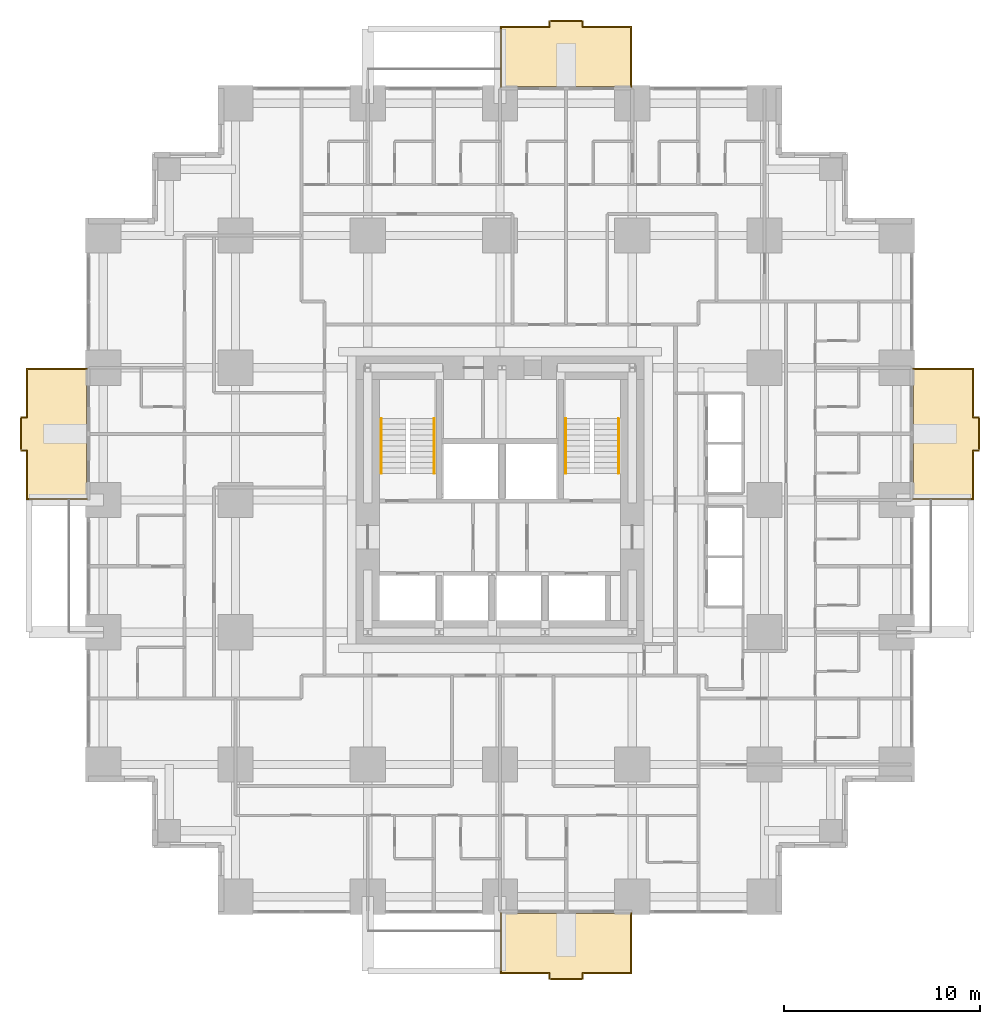
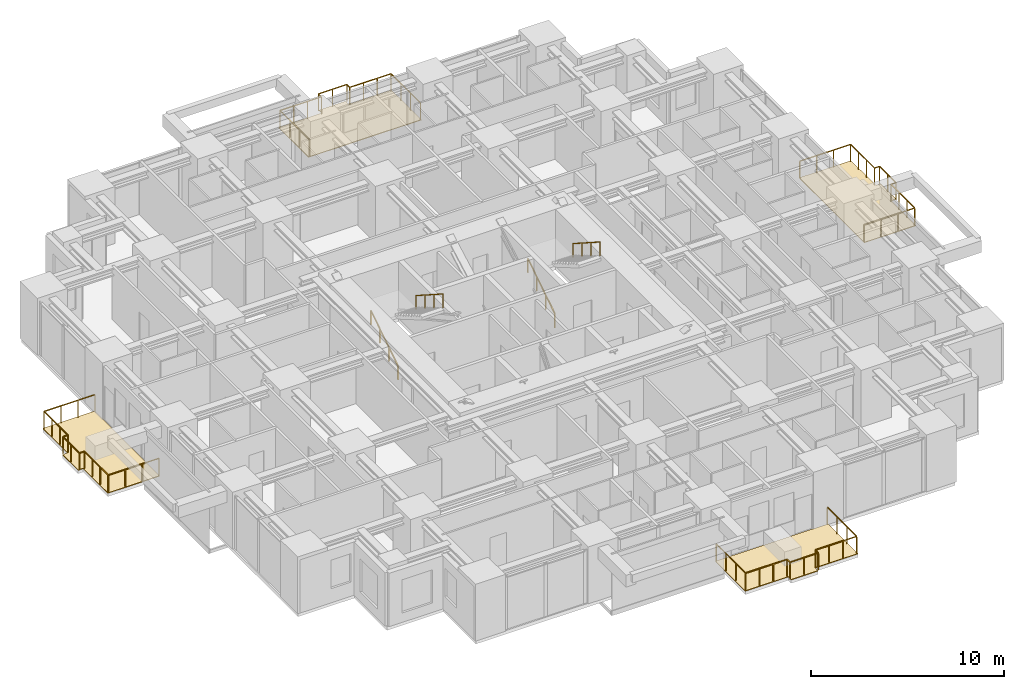
# One storey, part 14 of 14: 8 railings, 4 coverings.
"""IFC4 building model written with IfcOpenShell, lengths in metres."""

from ifc_helpers import new_model, si_unit, direction, frame, origin, origin_2d, place, context, subcontext, project, spatial, polyline, rectangle, outline, extrude, material, layer, layer_set, type_object, element, save


model = new_model("IFC4")

# Units and contexts
model_context = context("Model", 3, precision=1e-05, world=origin(), true_north=direction((0.0, 1.0)))
body_context = subcontext(model_context, "Body", "Model", "MODEL_VIEW")
ifc_project = project(units=[si_unit("LENGTHUNIT", "METRE"), si_unit("AREAUNIT", "SQUARE_METRE"), si_unit("VOLUMEUNIT", "CUBIC_METRE"), si_unit("PLANEANGLEUNIT", "RADIAN"), si_unit("MASSUNIT", "GRAM", prefix="KILO")], contexts=[model_context])

# Site, building, storey
site_placement = place(None, origin())
site = spatial("IfcSite", under=ifc_project, at=site_placement, CompositionType="ELEMENT")
building_placement = place(site_placement, origin())
building = spatial("IfcBuilding", under=site, at=building_placement, Name="Nyansa Garden Tower", CompositionType="ELEMENT")
storey_placement = place(building_placement, frame((0.0, 0.0, 57.60009765625)))
storey = spatial("IfcBuildingStorey", under=building, at=storey_placement, Name="L15", CompositionType="ELEMENT", Elevation=57.60009765625)

# Coverings
ifc_material_1 = material(Name="Hardwood decking on pedestals", Category="wood")
ifc_layer = layer(ifc_material_1, 0.0400390625)
ifc_layer_set = layer_set([ifc_layer], Name="Balcony decking DK40")
covering_type = type_object("IfcCoveringType", Name="Balcony decking DK40", PredefinedType="FLOORING", material=ifc_layer_set)
covering_1_placement = place(storey_placement, frame((0.0, 0.0, -0.0400390625)))
element("IfcCovering", 1, at=covering_1_placement, inside=storey, type_object=covering_type, Name="Balcony decking L15", PredefinedType="FLOORING", context=body_context, shape_type="SweptSolid", body=[
    extrude(outline(polyline([(20.25, -0.85009765625), (27.0, -0.85009765625), (27.0, -3.949951171875), (24.425048828125, -3.949951171875), (24.425048828125, -4.25), (22.824951171875, -4.25), (22.824951171875, -3.949951171875), (20.25, -3.949951171875), (20.25, -0.85009765625)])), origin(), (0.0, 0.0, 1.0), 0.0400390625),
])
covering_2_placement = place(storey_placement, frame((0.0, 0.0, -0.0400390625)))
element("IfcCovering", 2, at=covering_2_placement, inside=storey, type_object=covering_type, Name="Balcony decking L15", PredefinedType="FLOORING", context=body_context, shape_type="SweptSolid", body=[
    extrude(outline(polyline([(41.35009765625, 20.25), (41.35009765625, 27.0), (44.449951171875, 27.0), (44.449951171875, 24.425048828125), (44.75, 24.425048828125), (44.75, 22.824951171875), (44.449951171875, 22.824951171875), (44.449951171875, 20.25), (41.35009765625, 20.25)])), origin(), (0.0, 0.0, 1.0), 0.0400390625),
])
covering_3_placement = place(storey_placement, frame((0.0, 0.0, -0.0400390625)))
element("IfcCovering", 3, at=covering_3_placement, inside=storey, type_object=covering_type, Name="Balcony decking L15", PredefinedType="FLOORING", context=body_context, shape_type="SweptSolid", body=[
    extrude(outline(polyline([(20.25, 41.35009765625), (27.0, 41.35009765625), (27.0, 44.449951171875), (24.425048828125, 44.449951171875), (24.425048828125, 44.75), (22.824951171875, 44.75), (22.824951171875, 44.449951171875), (20.25, 44.449951171875), (20.25, 41.35009765625)])), origin(), (0.0, 0.0, 1.0), 0.0400390625),
])
covering_4_placement = place(storey_placement, frame((0.0, 0.0, -0.0400390625)))
element("IfcCovering", 4, at=covering_4_placement, inside=storey, type_object=covering_type, Name="Balcony decking L15", PredefinedType="FLOORING", context=body_context, shape_type="SweptSolid", body=[
    extrude(outline(polyline([(-0.85009765625, 20.25), (-0.85009765625, 27.0), (-3.949951171875, 27.0), (-3.949951171875, 24.425048828125), (-4.25, 24.425048828125), (-4.25, 22.824951171875), (-3.949951171875, 22.824951171875), (-3.949951171875, 20.25), (-0.85009765625, 20.25)])), origin(), (0.0, 0.0, 1.0), 0.0400390625),
])

# Railings
ifc_material_2 = material(Name="Black powder-coated steel balusters, laminated glass infill", Category="steel")
railing_type_1 = type_object("IfcRailingType", Name="Balcony guard G1", PredefinedType="GUARDRAIL", material=ifc_material_2)
railing_1_placement = place(storey_placement, frame((20.300048828125, -0.85009765625, 0.0)))
element("IfcRailing", 5, at=railing_1_placement, inside=storey, type_object=railing_type_1, Name="Balcony guard L15", PredefinedType="GUARDRAIL", context=body_context, shape_type="SweptSolid", body=[
    extrude(rectangle(XDim=0.048095703125, YDim=0.048095703125, at=origin_2d()), frame((0.0, 0.0, 1.076171875), z_axis=(0.0, -1.0, 0.0), x_axis=(1.0, 0.0, 0.0)), (0.0, 0.0, 1.0), 3.0498046875),
    extrude(rectangle(XDim=0.048095703125, YDim=0.048095703125, at=origin_2d()), frame((0.0, -3.0498046875, 1.076171875), z_axis=(1.0, 0.0, 0.0), x_axis=(0.0, 1.0, 0.0)), (0.0, 0.0, 1.0), 2.474853515625),
    extrude(rectangle(XDim=0.048095703125, YDim=0.048095703125, at=origin_2d()), frame((2.474853515625, -3.0498046875, 1.076171875), z_axis=(0.0, -1.0, 0.0), x_axis=(1.0, 0.0, 0.0)), (0.0, 0.0, 1.0), 0.300048828125),
    extrude(rectangle(XDim=0.048095703125, YDim=0.048095703125, at=origin_2d()), frame((2.474853515625, -3.349853515625, 1.076171875), z_axis=(1.0, 0.0, 0.0), x_axis=(0.0, 1.0, 0.0)), (0.0, 0.0, 1.0), 1.7001953125),
    extrude(rectangle(XDim=0.048095703125, YDim=0.048095703125, at=origin_2d()), frame((4.175048828125, -3.349853515625, 1.076171875), z_axis=(0.0, 1.0, 0.0), x_axis=(-1.0, 0.0, 0.0)), (0.0, 0.0, 1.0), 0.300048828125),
    extrude(rectangle(XDim=0.048095703125, YDim=0.048095703125, at=origin_2d()), frame((4.175048828125, -3.0498046875, 1.076171875), z_axis=(1.0, 0.0, 0.0), x_axis=(0.0, 1.0, 0.0)), (0.0, 0.0, 1.0), 2.474853515625),
    extrude(rectangle(XDim=0.048095703125, YDim=0.048095703125, at=origin_2d()), frame((6.64990234375, -3.0498046875, 1.076171875), z_axis=(0.0, 1.0, 0.0), x_axis=(-1.0, 0.0, 0.0)), (0.0, 0.0, 1.0), 3.0498046875),
    extrude(rectangle(XDim=0.0419921875, YDim=0.0419921875, at=origin_2d()), origin(), (0.0, 0.0, 1.0), 1.052001953125),
    extrude(rectangle(XDim=0.0419921875, YDim=0.0419921875, at=origin_2d()), frame((0.0, -1.0166015625, 0.0)), (0.0, 0.0, 1.0), 1.052001953125),
    extrude(rectangle(XDim=0.0419921875, YDim=0.0419921875, at=origin_2d()), frame((0.0, -2.033203125, 0.0)), (0.0, 0.0, 1.0), 1.052001953125),
    extrude(rectangle(XDim=0.0419921875, YDim=0.0419921875, at=origin_2d()), frame((0.0, -3.0498046875, 0.0)), (0.0, 0.0, 1.0), 1.052001953125),
    extrude(rectangle(XDim=0.0419921875, YDim=0.0419921875, at=origin_2d()), frame((0.824951171875, -3.0498046875, 0.0)), (0.0, 0.0, 1.0), 1.052001953125),
    extrude(rectangle(XDim=0.0419921875, YDim=0.0419921875, at=origin_2d()), frame((1.64990234375, -3.0498046875, 0.0)), (0.0, 0.0, 1.0), 1.052001953125),
    extrude(rectangle(XDim=0.0419921875, YDim=0.0419921875, at=origin_2d()), frame((2.474853515625, -3.0498046875, 0.0)), (0.0, 0.0, 1.0), 1.052001953125),
    extrude(rectangle(XDim=0.0419921875, YDim=0.0419921875, at=origin_2d()), frame((2.474853515625, -3.349853515625, 0.0)), (0.0, 0.0, 1.0), 1.052001953125),
    extrude(rectangle(XDim=0.0419921875, YDim=0.0419921875, at=origin_2d()), frame((3.324951171875, -3.349853515625, 0.0)), (0.0, 0.0, 1.0), 1.052001953125),
    extrude(rectangle(XDim=0.0419921875, YDim=0.0419921875, at=origin_2d()), frame((4.175048828125, -3.349853515625, 0.0)), (0.0, 0.0, 1.0), 1.052001953125),
    extrude(rectangle(XDim=0.0419921875, YDim=0.0419921875, at=origin_2d()), frame((4.175048828125, -3.0498046875, 0.0)), (0.0, 0.0, 1.0), 1.052001953125),
    extrude(rectangle(XDim=0.0419921875, YDim=0.0419921875, at=origin_2d()), frame((5.0, -3.0498046875, 0.0)), (0.0, 0.0, 1.0), 1.052001953125),
    extrude(rectangle(XDim=0.0419921875, YDim=0.0419921875, at=origin_2d()), frame((5.824951171875, -3.0498046875, 0.0)), (0.0, 0.0, 1.0), 1.052001953125),
    extrude(rectangle(XDim=0.0419921875, YDim=0.0419921875, at=origin_2d()), frame((6.64990234375, -3.0498046875, 0.0)), (0.0, 0.0, 1.0), 1.052001953125),
    extrude(rectangle(XDim=0.0419921875, YDim=0.0419921875, at=origin_2d()), frame((6.64990234375, -2.033203125, 0.0)), (0.0, 0.0, 1.0), 1.052001953125),
    extrude(rectangle(XDim=0.0419921875, YDim=0.0419921875, at=origin_2d()), frame((6.64990234375, -1.0166015625, 0.0)), (0.0, 0.0, 1.0), 1.052001953125),
    extrude(rectangle(XDim=0.0419921875, YDim=0.0419921875, at=origin_2d()), frame((6.64990234375, 0.0, 0.0)), (0.0, 0.0, 1.0), 1.052001953125),
])
railing_2_placement = place(storey_placement, frame((41.35009765625, 20.300048828125, 0.0)))
element("IfcRailing", 6, at=railing_2_placement, inside=storey, type_object=railing_type_1, Name="Balcony guard L15", PredefinedType="GUARDRAIL", context=body_context, shape_type="SweptSolid", body=[
    extrude(rectangle(XDim=0.048095703125, YDim=0.048095703125, at=origin_2d()), frame((0.0, 0.0, 1.076171875), z_axis=(1.0, 0.0, 0.0), x_axis=(0.0, 1.0, 0.0)), (0.0, 0.0, 1.0), 3.0498046875),
    extrude(rectangle(XDim=0.048095703125, YDim=0.048095703125, at=origin_2d()), frame((3.0498046875, 0.0, 1.076171875), z_axis=(0.0, 1.0, 0.0), x_axis=(-1.0, 0.0, 0.0)), (0.0, 0.0, 1.0), 2.474853515625),
    extrude(rectangle(XDim=0.048095703125, YDim=0.048095703125, at=origin_2d()), frame((3.0498046875, 2.474853515625, 1.076171875), z_axis=(1.0, 0.0, 0.0), x_axis=(0.0, 1.0, 0.0)), (0.0, 0.0, 1.0), 0.300048828125),
    extrude(rectangle(XDim=0.048095703125, YDim=0.048095703125, at=origin_2d()), frame((3.349853515625, 2.474853515625, 1.076171875), z_axis=(0.0, 1.0, 0.0), x_axis=(-1.0, 0.0, 0.0)), (0.0, 0.0, 1.0), 1.7001953125),
    extrude(rectangle(XDim=0.048095703125, YDim=0.048095703125, at=origin_2d()), frame((3.349853515625, 4.175048828125, 1.076171875), z_axis=(-1.0, 0.0, 0.0), x_axis=(0.0, -1.0, 0.0)), (0.0, 0.0, 1.0), 0.300048828125),
    extrude(rectangle(XDim=0.048095703125, YDim=0.048095703125, at=origin_2d()), frame((3.0498046875, 4.175048828125, 1.076171875), z_axis=(0.0, 1.0, 0.0), x_axis=(-1.0, 0.0, 0.0)), (0.0, 0.0, 1.0), 2.474853515625),
    extrude(rectangle(XDim=0.048095703125, YDim=0.048095703125, at=origin_2d()), frame((3.0498046875, 6.64990234375, 1.076171875), z_axis=(-1.0, 0.0, 0.0), x_axis=(0.0, -1.0, 0.0)), (0.0, 0.0, 1.0), 3.0498046875),
    extrude(rectangle(XDim=0.0419921875, YDim=0.0419921875, at=origin_2d()), origin(), (0.0, 0.0, 1.0), 1.052001953125),
    extrude(rectangle(XDim=0.0419921875, YDim=0.0419921875, at=origin_2d()), frame((1.0166015625, 0.0, 0.0)), (0.0, 0.0, 1.0), 1.052001953125),
    extrude(rectangle(XDim=0.0419921875, YDim=0.0419921875, at=origin_2d()), frame((2.033203125, 0.0, 0.0)), (0.0, 0.0, 1.0), 1.052001953125),
    extrude(rectangle(XDim=0.0419921875, YDim=0.0419921875, at=origin_2d()), frame((3.0498046875, 0.0, 0.0)), (0.0, 0.0, 1.0), 1.052001953125),
    extrude(rectangle(XDim=0.0419921875, YDim=0.0419921875, at=origin_2d()), frame((3.0498046875, 0.824951171875, 0.0)), (0.0, 0.0, 1.0), 1.052001953125),
    extrude(rectangle(XDim=0.0419921875, YDim=0.0419921875, at=origin_2d()), frame((3.0498046875, 1.64990234375, 0.0)), (0.0, 0.0, 1.0), 1.052001953125),
    extrude(rectangle(XDim=0.0419921875, YDim=0.0419921875, at=origin_2d()), frame((3.0498046875, 2.474853515625, 0.0)), (0.0, 0.0, 1.0), 1.052001953125),
    extrude(rectangle(XDim=0.0419921875, YDim=0.0419921875, at=origin_2d()), frame((3.349853515625, 2.474853515625, 0.0)), (0.0, 0.0, 1.0), 1.052001953125),
    extrude(rectangle(XDim=0.0419921875, YDim=0.0419921875, at=origin_2d()), frame((3.349853515625, 3.324951171875, 0.0)), (0.0, 0.0, 1.0), 1.052001953125),
    extrude(rectangle(XDim=0.0419921875, YDim=0.0419921875, at=origin_2d()), frame((3.349853515625, 4.175048828125, 0.0)), (0.0, 0.0, 1.0), 1.052001953125),
    extrude(rectangle(XDim=0.0419921875, YDim=0.0419921875, at=origin_2d()), frame((3.0498046875, 4.175048828125, 0.0)), (0.0, 0.0, 1.0), 1.052001953125),
    extrude(rectangle(XDim=0.0419921875, YDim=0.0419921875, at=origin_2d()), frame((3.0498046875, 5.0, 0.0)), (0.0, 0.0, 1.0), 1.052001953125),
    extrude(rectangle(XDim=0.0419921875, YDim=0.0419921875, at=origin_2d()), frame((3.0498046875, 5.824951171875, 0.0)), (0.0, 0.0, 1.0), 1.052001953125),
    extrude(rectangle(XDim=0.0419921875, YDim=0.0419921875, at=origin_2d()), frame((3.0498046875, 6.64990234375, 0.0)), (0.0, 0.0, 1.0), 1.052001953125),
    extrude(rectangle(XDim=0.0419921875, YDim=0.0419921875, at=origin_2d()), frame((2.033203125, 6.64990234375, 0.0)), (0.0, 0.0, 1.0), 1.052001953125),
    extrude(rectangle(XDim=0.0419921875, YDim=0.0419921875, at=origin_2d()), frame((1.0166015625, 6.64990234375, 0.0)), (0.0, 0.0, 1.0), 1.052001953125),
    extrude(rectangle(XDim=0.0419921875, YDim=0.0419921875, at=origin_2d()), frame((0.0, 6.64990234375, 0.0)), (0.0, 0.0, 1.0), 1.052001953125),
])
railing_3_placement = place(storey_placement, frame((20.300048828125, 41.35009765625, 0.0)))
element("IfcRailing", 7, at=railing_3_placement, inside=storey, type_object=railing_type_1, Name="Balcony guard L15", PredefinedType="GUARDRAIL", context=body_context, shape_type="SweptSolid", body=[
    extrude(rectangle(XDim=0.048095703125, YDim=0.048095703125, at=origin_2d()), frame((0.0, 0.0, 1.076171875), z_axis=(0.0, 1.0, 0.0), x_axis=(-1.0, 0.0, 0.0)), (0.0, 0.0, 1.0), 3.0498046875),
    extrude(rectangle(XDim=0.048095703125, YDim=0.048095703125, at=origin_2d()), frame((0.0, 3.0498046875, 1.076171875), z_axis=(1.0, 0.0, 0.0), x_axis=(0.0, 1.0, 0.0)), (0.0, 0.0, 1.0), 2.474853515625),
    extrude(rectangle(XDim=0.048095703125, YDim=0.048095703125, at=origin_2d()), frame((2.474853515625, 3.0498046875, 1.076171875), z_axis=(0.0, 1.0, 0.0), x_axis=(-1.0, 0.0, 0.0)), (0.0, 0.0, 1.0), 0.300048828125),
    extrude(rectangle(XDim=0.048095703125, YDim=0.048095703125, at=origin_2d()), frame((2.474853515625, 3.349853515625, 1.076171875), z_axis=(1.0, 0.0, 0.0), x_axis=(0.0, 1.0, 0.0)), (0.0, 0.0, 1.0), 1.7001953125),
    extrude(rectangle(XDim=0.048095703125, YDim=0.048095703125, at=origin_2d()), frame((4.175048828125, 3.349853515625, 1.076171875), z_axis=(0.0, -1.0, 0.0), x_axis=(1.0, 0.0, 0.0)), (0.0, 0.0, 1.0), 0.300048828125),
    extrude(rectangle(XDim=0.048095703125, YDim=0.048095703125, at=origin_2d()), frame((4.175048828125, 3.0498046875, 1.076171875), z_axis=(1.0, 0.0, 0.0), x_axis=(0.0, 1.0, 0.0)), (0.0, 0.0, 1.0), 2.474853515625),
    extrude(rectangle(XDim=0.048095703125, YDim=0.048095703125, at=origin_2d()), frame((6.64990234375, 3.0498046875, 1.076171875), z_axis=(0.0, -1.0, 0.0), x_axis=(1.0, 0.0, 0.0)), (0.0, 0.0, 1.0), 3.0498046875),
    extrude(rectangle(XDim=0.0419921875, YDim=0.0419921875, at=origin_2d()), origin(), (0.0, 0.0, 1.0), 1.052001953125),
    extrude(rectangle(XDim=0.0419921875, YDim=0.0419921875, at=origin_2d()), frame((0.0, 1.0166015625, 0.0)), (0.0, 0.0, 1.0), 1.052001953125),
    extrude(rectangle(XDim=0.0419921875, YDim=0.0419921875, at=origin_2d()), frame((0.0, 2.033203125, 0.0)), (0.0, 0.0, 1.0), 1.052001953125),
    extrude(rectangle(XDim=0.0419921875, YDim=0.0419921875, at=origin_2d()), frame((0.0, 3.0498046875, 0.0)), (0.0, 0.0, 1.0), 1.052001953125),
    extrude(rectangle(XDim=0.0419921875, YDim=0.0419921875, at=origin_2d()), frame((0.824951171875, 3.0498046875, 0.0)), (0.0, 0.0, 1.0), 1.052001953125),
    extrude(rectangle(XDim=0.0419921875, YDim=0.0419921875, at=origin_2d()), frame((1.64990234375, 3.0498046875, 0.0)), (0.0, 0.0, 1.0), 1.052001953125),
    extrude(rectangle(XDim=0.0419921875, YDim=0.0419921875, at=origin_2d()), frame((2.474853515625, 3.0498046875, 0.0)), (0.0, 0.0, 1.0), 1.052001953125),
    extrude(rectangle(XDim=0.0419921875, YDim=0.0419921875, at=origin_2d()), frame((2.474853515625, 3.349853515625, 0.0)), (0.0, 0.0, 1.0), 1.052001953125),
    extrude(rectangle(XDim=0.0419921875, YDim=0.0419921875, at=origin_2d()), frame((3.324951171875, 3.349853515625, 0.0)), (0.0, 0.0, 1.0), 1.052001953125),
    extrude(rectangle(XDim=0.0419921875, YDim=0.0419921875, at=origin_2d()), frame((4.175048828125, 3.349853515625, 0.0)), (0.0, 0.0, 1.0), 1.052001953125),
    extrude(rectangle(XDim=0.0419921875, YDim=0.0419921875, at=origin_2d()), frame((4.175048828125, 3.0498046875, 0.0)), (0.0, 0.0, 1.0), 1.052001953125),
    extrude(rectangle(XDim=0.0419921875, YDim=0.0419921875, at=origin_2d()), frame((5.0, 3.0498046875, 0.0)), (0.0, 0.0, 1.0), 1.052001953125),
    extrude(rectangle(XDim=0.0419921875, YDim=0.0419921875, at=origin_2d()), frame((5.824951171875, 3.0498046875, 0.0)), (0.0, 0.0, 1.0), 1.052001953125),
    extrude(rectangle(XDim=0.0419921875, YDim=0.0419921875, at=origin_2d()), frame((6.64990234375, 3.0498046875, 0.0)), (0.0, 0.0, 1.0), 1.052001953125),
    extrude(rectangle(XDim=0.0419921875, YDim=0.0419921875, at=origin_2d()), frame((6.64990234375, 2.033203125, 0.0)), (0.0, 0.0, 1.0), 1.052001953125),
    extrude(rectangle(XDim=0.0419921875, YDim=0.0419921875, at=origin_2d()), frame((6.64990234375, 1.0166015625, 0.0)), (0.0, 0.0, 1.0), 1.052001953125),
    extrude(rectangle(XDim=0.0419921875, YDim=0.0419921875, at=origin_2d()), frame((6.64990234375, 0.0, 0.0)), (0.0, 0.0, 1.0), 1.052001953125),
])
railing_4_placement = place(storey_placement, frame((-0.85009765625, 20.300048828125, 0.0)))
element("IfcRailing", 8, at=railing_4_placement, inside=storey, type_object=railing_type_1, Name="Balcony guard L15", PredefinedType="GUARDRAIL", context=body_context, shape_type="SweptSolid", body=[
    extrude(rectangle(XDim=0.048095703125, YDim=0.048095703125, at=origin_2d()), frame((0.0, 0.0, 1.076171875), z_axis=(-1.0, 0.0, 0.0), x_axis=(0.0, -1.0, 0.0)), (0.0, 0.0, 1.0), 3.0498046875),
    extrude(rectangle(XDim=0.048095703125, YDim=0.048095703125, at=origin_2d()), frame((-3.0498046875, 0.0, 1.076171875), z_axis=(0.0, 1.0, 0.0), x_axis=(-1.0, 0.0, 0.0)), (0.0, 0.0, 1.0), 2.474853515625),
    extrude(rectangle(XDim=0.048095703125, YDim=0.048095703125, at=origin_2d()), frame((-3.0498046875, 2.474853515625, 1.076171875), z_axis=(-1.0, 0.0, 0.0), x_axis=(0.0, -1.0, 0.0)), (0.0, 0.0, 1.0), 0.300048828125),
    extrude(rectangle(XDim=0.048095703125, YDim=0.048095703125, at=origin_2d()), frame((-3.349853515625, 2.474853515625, 1.076171875), z_axis=(0.0, 1.0, 0.0), x_axis=(-1.0, 0.0, 0.0)), (0.0, 0.0, 1.0), 1.7001953125),
    extrude(rectangle(XDim=0.048095703125, YDim=0.048095703125, at=origin_2d()), frame((-3.349853515625, 4.175048828125, 1.076171875), z_axis=(1.0, 0.0, 0.0), x_axis=(0.0, 1.0, 0.0)), (0.0, 0.0, 1.0), 0.300048828125),
    extrude(rectangle(XDim=0.048095703125, YDim=0.048095703125, at=origin_2d()), frame((-3.0498046875, 4.175048828125, 1.076171875), z_axis=(0.0, 1.0, 0.0), x_axis=(-1.0, 0.0, 0.0)), (0.0, 0.0, 1.0), 2.474853515625),
    extrude(rectangle(XDim=0.048095703125, YDim=0.048095703125, at=origin_2d()), frame((-3.0498046875, 6.64990234375, 1.076171875), z_axis=(1.0, 0.0, 0.0), x_axis=(0.0, 1.0, 0.0)), (0.0, 0.0, 1.0), 3.0498046875),
    extrude(rectangle(XDim=0.0419921875, YDim=0.0419921875, at=origin_2d()), origin(), (0.0, 0.0, 1.0), 1.052001953125),
    extrude(rectangle(XDim=0.0419921875, YDim=0.0419921875, at=origin_2d()), frame((-1.0166015625, 0.0, 0.0)), (0.0, 0.0, 1.0), 1.052001953125),
    extrude(rectangle(XDim=0.0419921875, YDim=0.0419921875, at=origin_2d()), frame((-2.033203125, 0.0, 0.0)), (0.0, 0.0, 1.0), 1.052001953125),
    extrude(rectangle(XDim=0.0419921875, YDim=0.0419921875, at=origin_2d()), frame((-3.0498046875, 0.0, 0.0)), (0.0, 0.0, 1.0), 1.052001953125),
    extrude(rectangle(XDim=0.0419921875, YDim=0.0419921875, at=origin_2d()), frame((-3.0498046875, 0.824951171875, 0.0)), (0.0, 0.0, 1.0), 1.052001953125),
    extrude(rectangle(XDim=0.0419921875, YDim=0.0419921875, at=origin_2d()), frame((-3.0498046875, 1.64990234375, 0.0)), (0.0, 0.0, 1.0), 1.052001953125),
    extrude(rectangle(XDim=0.0419921875, YDim=0.0419921875, at=origin_2d()), frame((-3.0498046875, 2.474853515625, 0.0)), (0.0, 0.0, 1.0), 1.052001953125),
    extrude(rectangle(XDim=0.0419921875, YDim=0.0419921875, at=origin_2d()), frame((-3.349853515625, 2.474853515625, 0.0)), (0.0, 0.0, 1.0), 1.052001953125),
    extrude(rectangle(XDim=0.0419921875, YDim=0.0419921875, at=origin_2d()), frame((-3.349853515625, 3.324951171875, 0.0)), (0.0, 0.0, 1.0), 1.052001953125),
    extrude(rectangle(XDim=0.0419921875, YDim=0.0419921875, at=origin_2d()), frame((-3.349853515625, 4.175048828125, 0.0)), (0.0, 0.0, 1.0), 1.052001953125),
    extrude(rectangle(XDim=0.0419921875, YDim=0.0419921875, at=origin_2d()), frame((-3.0498046875, 4.175048828125, 0.0)), (0.0, 0.0, 1.0), 1.052001953125),
    extrude(rectangle(XDim=0.0419921875, YDim=0.0419921875, at=origin_2d()), frame((-3.0498046875, 5.0, 0.0)), (0.0, 0.0, 1.0), 1.052001953125),
    extrude(rectangle(XDim=0.0419921875, YDim=0.0419921875, at=origin_2d()), frame((-3.0498046875, 5.824951171875, 0.0)), (0.0, 0.0, 1.0), 1.052001953125),
    extrude(rectangle(XDim=0.0419921875, YDim=0.0419921875, at=origin_2d()), frame((-3.0498046875, 6.64990234375, 0.0)), (0.0, 0.0, 1.0), 1.052001953125),
    extrude(rectangle(XDim=0.0419921875, YDim=0.0419921875, at=origin_2d()), frame((-2.033203125, 6.64990234375, 0.0)), (0.0, 0.0, 1.0), 1.052001953125),
    extrude(rectangle(XDim=0.0419921875, YDim=0.0419921875, at=origin_2d()), frame((-1.0166015625, 6.64990234375, 0.0)), (0.0, 0.0, 1.0), 1.052001953125),
    extrude(rectangle(XDim=0.0419921875, YDim=0.0419921875, at=origin_2d()), frame((0.0, 6.64990234375, 0.0)), (0.0, 0.0, 1.0), 1.052001953125),
])
ifc_material_3 = material(Name="Black powder-coated steel tube 48 mm", Category="steel")
railing_type_2 = type_object("IfcRailingType", Name="Stair handrail HR1", PredefinedType="HANDRAIL", material=ifc_material_3)
railing_5_placement = place(storey_placement, frame((14.199951171875, 21.60009765625, 0.0)))
element("IfcRailing", 9, at=railing_5_placement, inside=storey, type_object=railing_type_2, Name="Stair S1 handrail L15", PredefinedType="HANDRAIL", context=body_context, shape_type="SweptSolid", body=[
    extrude(rectangle(XDim=0.048095703125, YDim=0.048095703125, at=origin_2d()), frame((0.0, 0.0, 0.8759765625), z_axis=(0.0, 0.841188008214, 0.540742762169), x_axis=(-1.0, 0.0, 0.0)), (0.0, 0.0, 1.0), 3.328369140625),
    extrude(rectangle(XDim=0.0419921875, YDim=0.0419921875, at=origin_2d()), origin(), (0.0, 0.0, 1.0), 0.851806640625),
    extrude(rectangle(XDim=0.0419921875, YDim=0.0419921875, at=origin_2d()), frame((0.0, 0.933349609375, 0.599853515625)), (0.0, 0.0, 1.0), 0.851806640625),
    extrude(rectangle(XDim=0.0419921875, YDim=0.0419921875, at=origin_2d()), frame((0.0, 1.866455078125, 1.199951171875)), (0.0, 0.0, 1.0), 0.851806640625),
    extrude(rectangle(XDim=0.0419921875, YDim=0.0419921875, at=origin_2d()), frame((0.0, 2.7998046875, 1.7998046875)), (0.0, 0.0, 1.0), 0.851806640625),
])
railing_6_placement = place(storey_placement, frame((16.89990234375, 24.39990234375, 1.7998046875)))
element("IfcRailing", 10, at=railing_6_placement, inside=storey, type_object=railing_type_2, Name="Stair S1 handrail L15", PredefinedType="HANDRAIL", context=body_context, shape_type="SweptSolid", body=[
    extrude(rectangle(XDim=0.048095703125, YDim=0.048095703125, at=origin_2d()), frame((0.0, 0.0, 0.8759765625), z_axis=(0.0, -0.841154643086, 0.54079466197), x_axis=(1.0, 0.0, 0.0)), (0.0, 0.0, 1.0), 3.32861328125),
    extrude(rectangle(XDim=0.0419921875, YDim=0.0419921875, at=origin_2d()), origin(), (0.0, 0.0, 1.0), 0.851806640625),
    extrude(rectangle(XDim=0.0419921875, YDim=0.0419921875, at=origin_2d()), frame((0.0, -0.933349609375, 0.60009765625)), (0.0, 0.0, 1.0), 0.851806640625),
    extrude(rectangle(XDim=0.0419921875, YDim=0.0419921875, at=origin_2d()), frame((0.0, -1.866455078125, 1.199951171875)), (0.0, 0.0, 1.0), 0.851806640625),
    extrude(rectangle(XDim=0.0419921875, YDim=0.0419921875, at=origin_2d()), frame((0.0, -2.7998046875, 1.800048828125)), (0.0, 0.0, 1.0), 0.851806640625),
])
railing_7_placement = place(storey_placement, frame((23.60009765625, 21.60009765625, 0.0)))
element("IfcRailing", 11, at=railing_7_placement, inside=storey, type_object=railing_type_2, Name="Stair S2 handrail L15", PredefinedType="HANDRAIL", context=body_context, shape_type="SweptSolid", body=[
    extrude(rectangle(XDim=0.048095703125, YDim=0.048095703125, at=origin_2d()), frame((0.0, 0.0, 0.8759765625), z_axis=(0.0, 0.841188008214, 0.540742762169), x_axis=(-1.0, 0.0, 0.0)), (0.0, 0.0, 1.0), 3.328369140625),
    extrude(rectangle(XDim=0.0419921875, YDim=0.0419921875, at=origin_2d()), origin(), (0.0, 0.0, 1.0), 0.851806640625),
    extrude(rectangle(XDim=0.0419921875, YDim=0.0419921875, at=origin_2d()), frame((0.0, 0.933349609375, 0.599853515625)), (0.0, 0.0, 1.0), 0.851806640625),
    extrude(rectangle(XDim=0.0419921875, YDim=0.0419921875, at=origin_2d()), frame((0.0, 1.866455078125, 1.199951171875)), (0.0, 0.0, 1.0), 0.851806640625),
    extrude(rectangle(XDim=0.0419921875, YDim=0.0419921875, at=origin_2d()), frame((0.0, 2.7998046875, 1.7998046875)), (0.0, 0.0, 1.0), 0.851806640625),
])
railing_8_placement = place(storey_placement, frame((26.300048828125, 24.39990234375, 1.7998046875)))
element("IfcRailing", 12, at=railing_8_placement, inside=storey, type_object=railing_type_2, Name="Stair S2 handrail L15", PredefinedType="HANDRAIL", context=body_context, shape_type="SweptSolid", body=[
    extrude(rectangle(XDim=0.048095703125, YDim=0.048095703125, at=origin_2d()), frame((0.0, 0.0, 0.8759765625), z_axis=(0.0, -0.841154643086, 0.54079466197), x_axis=(1.0, 0.0, 0.0)), (0.0, 0.0, 1.0), 3.32861328125),
    extrude(rectangle(XDim=0.0419921875, YDim=0.0419921875, at=origin_2d()), origin(), (0.0, 0.0, 1.0), 0.851806640625),
    extrude(rectangle(XDim=0.0419921875, YDim=0.0419921875, at=origin_2d()), frame((0.0, -0.933349609375, 0.60009765625)), (0.0, 0.0, 1.0), 0.851806640625),
    extrude(rectangle(XDim=0.0419921875, YDim=0.0419921875, at=origin_2d()), frame((0.0, -1.866455078125, 1.199951171875)), (0.0, 0.0, 1.0), 0.851806640625),
    extrude(rectangle(XDim=0.0419921875, YDim=0.0419921875, at=origin_2d()), frame((0.0, -2.7998046875, 1.800048828125)), (0.0, 0.0, 1.0), 0.851806640625),
])

save(model, "model.ifc")
